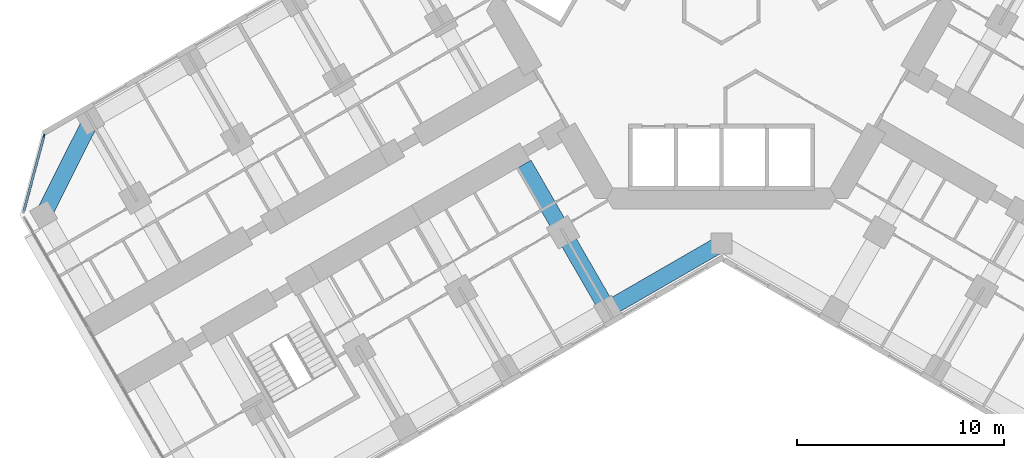
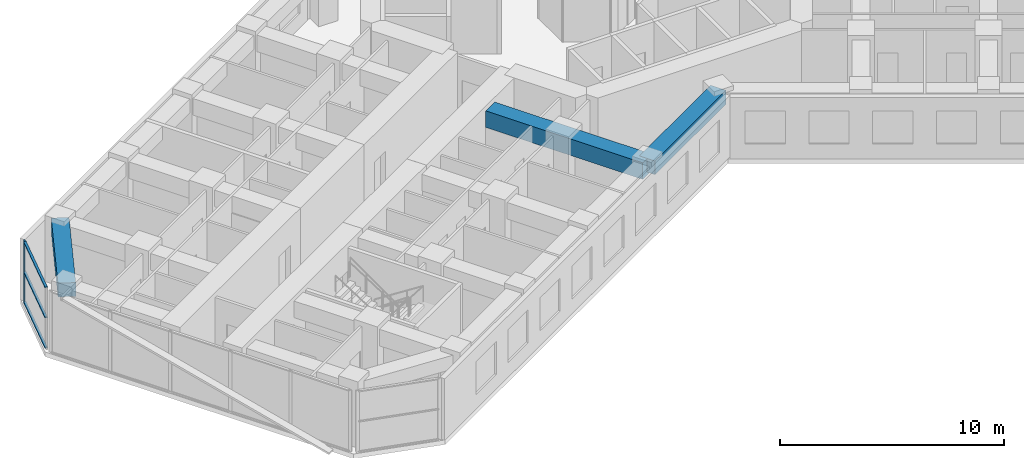
# One storey, part 3 of 21: 4 members, 3 beams, 1 element without a shape of its own.
"""IFC4 building model written with IfcOpenShell, lengths in metres."""

from ifc_helpers import new_model, si_unit, direction, frame, origin, origin_2d, place, context, subcontext, project, spatial, rectangle, extrude, material, material_profile, profile_set, type_object, element, aggregate, save


model = new_model("IFC4")

# Units and contexts
model_context = context("Model", 3, precision=1e-05, world=origin(), true_north=direction((0.0, 1.0)))
body_context = subcontext(model_context, "Body", "Model", "MODEL_VIEW")
ifc_project = project(units=[si_unit("LENGTHUNIT", "METRE"), si_unit("AREAUNIT", "SQUARE_METRE"), si_unit("VOLUMEUNIT", "CUBIC_METRE"), si_unit("PLANEANGLEUNIT", "RADIAN"), si_unit("MASSUNIT", "GRAM", prefix="KILO")], contexts=[model_context])

# Site, building, storey
site_placement = place(None, origin())
site = spatial("IfcSite", under=ifc_project, at=site_placement, CompositionType="ELEMENT")
building_placement = place(site_placement, origin())
building = spatial("IfcBuilding", under=site, at=building_placement, Name="Kosmar Iwan School Tower", CompositionType="ELEMENT")
storey_placement = place(building_placement, frame((0.0, 0.0, 64.60009765625)))
storey = spatial("IfcBuildingStorey", under=building, at=storey_placement, Name="L15", CompositionType="ELEMENT", Elevation=64.60009765625)

# Curtain wall, member
ifc_material_1 = material(Name="Dark glass in black aluminium frame", Category="aluminium")
curtain_wall_type = type_object("IfcCurtainWallType", Name="Chamfer curtain wall dark glass", PredefinedType="USERDEFINED", material=ifc_material_1)
curtain_wall_placement = place(storey_placement, origin())
curtain_wall = element("IfcCurtainWall", 1, at=curtain_wall_placement, inside=storey, type_object=curtain_wall_type, Name="Curtain wall L15-F12", ObjectType="FACETED CURTAIN WALL", PredefinedType="USERDEFINED")
ifc_material_2 = material(Name="Black anodised aluminium", Category="aluminium")
ifc_material_profile_1 = material_profile(ifc_material_2, rectangle(XDim=0.06005859375, YDim=0.159912109375, at=origin_2d()), Name="MULLION 60x160")
ifc_profile_set_1 = profile_set([ifc_material_profile_1], Name="Black anodised aluminium")
member_type_1 = type_object("IfcMemberType", Name="Mullion 60x160", PredefinedType="MULLION", material=ifc_profile_set_1)
member_1_placement = place(storey_placement, frame((-32.78076171875, -6.5732421875, 0.0), z_axis=(0.0, 0.0, 1.0), x_axis=(0.965925875495, -0.258818861462, 0.0)))
member_1 = element("IfcMember", 2, at=member_1_placement, type_object=member_type_1, Name="CW2 mullion 1", PredefinedType="MULLION", context=body_context, shape_type="SweptSolid", body=[
    extrude(rectangle(XDim=0.06005859375, YDim=0.159912109375, at=origin_2d()), origin(), (0.0, 0.0, 1.0), 3.349853515625),
])

# Beams
ifc_material_3 = material(Name="Concrete C50/60", Category="concrete")
ifc_material_profile_2 = material_profile(ifc_material_3, rectangle(XDim=0.800048828125, YDim=0.75, at=origin_2d()), Name="RC 800x750")
ifc_profile_set_2 = profile_set([ifc_material_profile_2], Name="Concrete C50/60")
beam_type_1 = type_object("IfcBeamType", Name="RC edge beam 800x750", PredefinedType="BEAM", material=ifc_profile_set_2)
beam_1_placement = place(storey_placement, frame((0.0, -11.77783203125, 2.974853515625), z_axis=(-0.866014293216, -0.500019243575, 0.0), x_axis=(0.500019243575, -0.866014293216, 0.0)))
element("IfcBeam", 3, at=beam_1_placement, inside=storey, type_object=beam_type_1, Name="Edge beam BL1", PredefinedType="BEAM", context=body_context, shape_type="SweptSolid", body=[
    extrude(rectangle(XDim=0.800048828125, YDim=0.75, at=origin_2d()), origin(), (0.0, 0.0, 1.0), 6.361083984375),
])
ifc_material_4 = material(Name="Concrete C50/60", Category="concrete")
ifc_material_profile_3 = material_profile(ifc_material_4, rectangle(XDim=0.800048828125, YDim=0.75, at=origin_2d()), Name="RC 800x750")
ifc_profile_set_3 = profile_set([ifc_material_profile_3], Name="Concrete C50/60")
beam_type_2 = type_object("IfcBeamType", Name="RC tip beam 800x750", PredefinedType="BEAM", material=ifc_profile_set_3)
beam_2_placement = place(storey_placement, frame((-30.517822265625, -5.841552734375, 2.974853515625), z_axis=(-0.44809604203, -0.893985423325, 0.0), x_axis=(0.893985423325, -0.44809604203, 0.0)))
element("IfcBeam", 4, at=beam_2_placement, inside=storey, type_object=beam_type_2, Name="Tip beam BR", PredefinedType="BEAM", context=body_context, shape_type="SweptSolid", body=[
    extrude(rectangle(XDim=0.800048828125, YDim=0.75, at=origin_2d()), origin(), (0.0, 0.0, 1.0), 5.08935546875),
])
ifc_material_5 = material(Name="Concrete C50/60", Category="concrete")
ifc_material_profile_4 = material_profile(ifc_material_5, rectangle(XDim=0.800048828125, YDim=0.89990234375, at=origin_2d()), Name="RC 800x900")
ifc_profile_set_4 = profile_set([ifc_material_profile_4], Name="Concrete C50/60")
beam_type_3 = type_object("IfcBeamType", Name="RC transverse beam 800x900", PredefinedType="BEAM", material=ifc_profile_set_4)
beam_3_placement = place(storey_placement, frame((-5.5087890625, -14.95849609375, 2.89990234375), z_axis=(-0.499999880539, 0.866025472755, 0.0), x_axis=(-0.866025472755, -0.499999880539, 0.0)))
element("IfcBeam", 5, at=beam_3_placement, inside=storey, type_object=beam_type_3, Name="Transverse beam BL1", PredefinedType="BEAM", context=body_context, shape_type="SweptSolid", body=[
    extrude(rectangle(XDim=0.800048828125, YDim=0.89990234375, at=origin_2d()), origin(), (0.0, 0.0, 1.0), 8.10009765625),
])

# Member
ifc_material_6 = material(Name="Black anodised aluminium", Category="aluminium")
ifc_material_profile_5 = material_profile(ifc_material_6, rectangle(XDim=0.1201171875, YDim=0.06005859375, at=origin_2d()), Name="TRANSOM 60x120")
ifc_profile_set_5 = profile_set([ifc_material_profile_5], Name="Black anodised aluminium")
member_type_2 = type_object("IfcMemberType", Name="Transom 60x120", PredefinedType="USERDEFINED", material=ifc_profile_set_5)
member_2_placement = place(storey_placement, frame((-32.788330078125, -6.602294921875, 0.02978515625), z_axis=(-0.258843273983, -0.965919333854, 0.0), x_axis=(0.965919333854, -0.258843273983, 0.0)))
member_2 = element("IfcMember", 6, at=member_2_placement, type_object=member_type_2, Name="CW2 transom 1.1", ObjectType="TRANSOM", PredefinedType="USERDEFINED", context=body_context, shape_type="SweptSolid", body=[
    extrude(rectangle(XDim=0.1201171875, YDim=0.06005859375, at=origin_2d()), origin(), (0.0, 0.0, 1.0), 3.718994140625),
])

member_3_placement = place(storey_placement, frame((-32.788330078125, -6.602294921875, 1.6748046875), z_axis=(-0.258843273983, -0.965919333854, 0.0), x_axis=(0.965919333854, -0.258843273983, 0.0)))
member_3 = element("IfcMember", 7, at=member_3_placement, type_object=member_type_2, Name="CW2 transom 1.2", ObjectType="TRANSOM", PredefinedType="USERDEFINED", context=body_context, shape_type="SweptSolid", body=[
    extrude(rectangle(XDim=0.1201171875, YDim=0.06005859375, at=origin_2d()), origin(), (0.0, 0.0, 1.0), 3.718994140625),
])

member_4_placement = place(storey_placement, frame((-32.788330078125, -6.602294921875, 3.31982421875), z_axis=(-0.258843273983, -0.965919333854, 0.0), x_axis=(0.965919333854, -0.258843273983, 0.0)))
member_4 = element("IfcMember", 8, at=member_4_placement, type_object=member_type_2, Name="CW2 transom 1.3", ObjectType="TRANSOM", PredefinedType="USERDEFINED", context=body_context, shape_type="SweptSolid", body=[
    extrude(rectangle(XDim=0.1201171875, YDim=0.06005859375, at=origin_2d()), origin(), (0.0, 0.0, 1.0), 3.718994140625),
])

aggregate(curtain_wall, [member_1, member_2, member_3, member_4])

save(model, "model.ifc")
